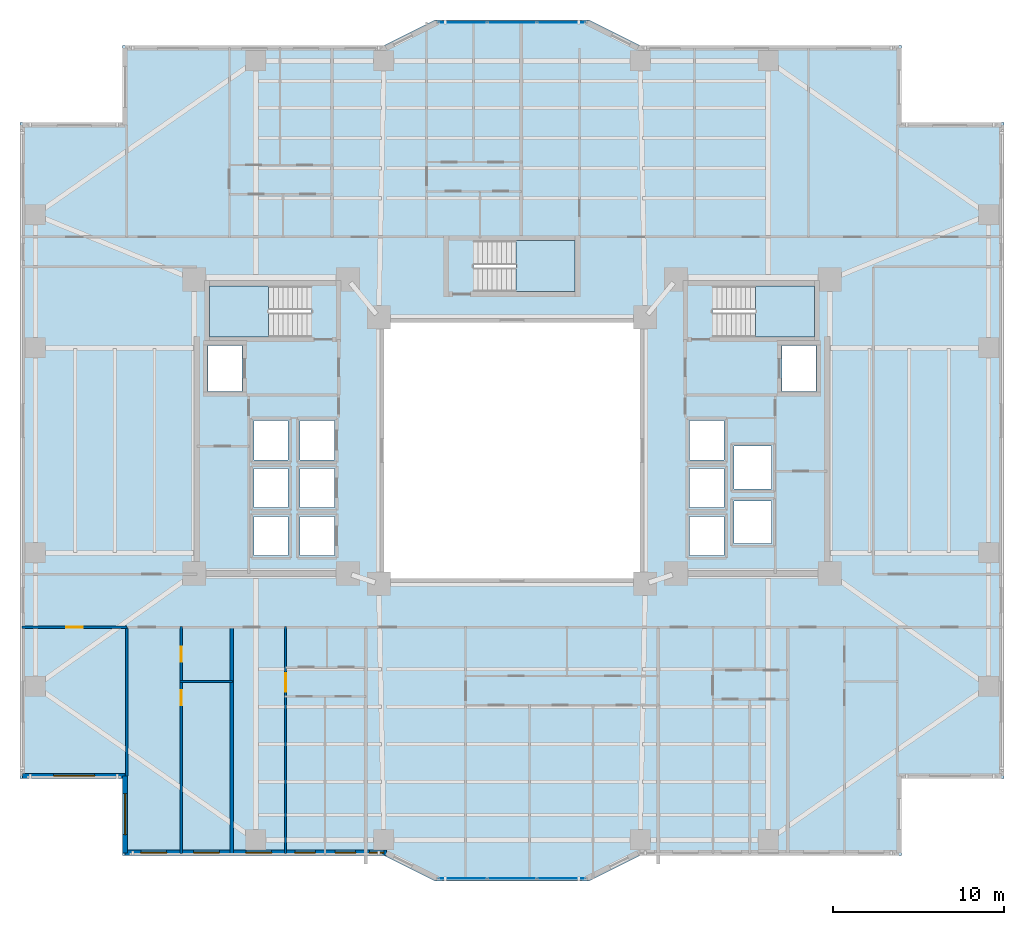
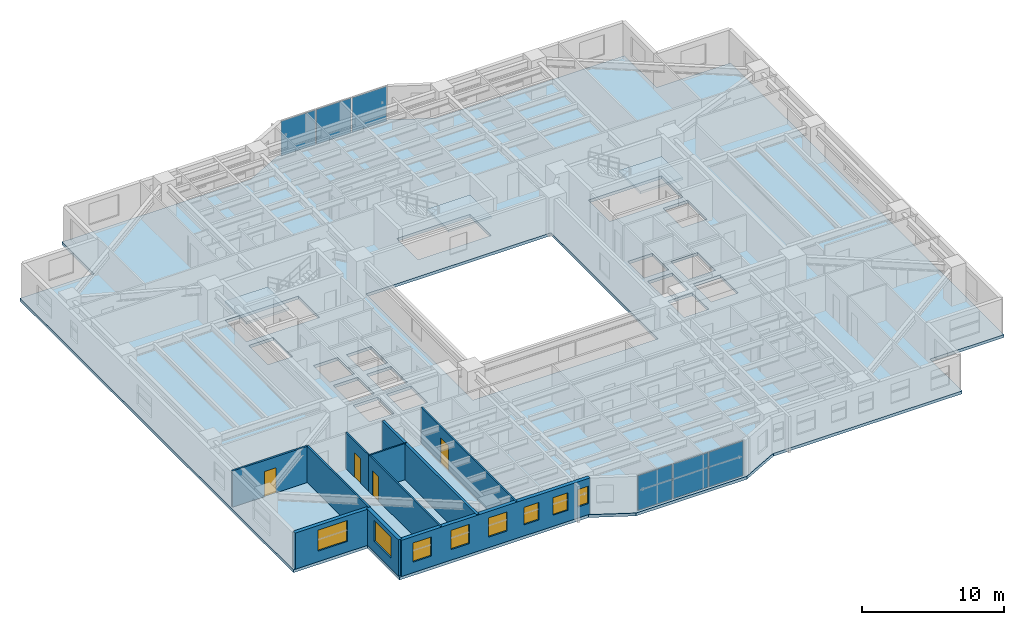
# One storey, part 9 of 21: 10 walls, 8 windows, 6 plates, 4 doors, 4 slabs, 12 openings, 5 elements without a shape of their own.
"""IFC4 building model written with IfcOpenShell, lengths in metres."""

from ifc_helpers import new_model, si_unit, direction, frame, frame_2d, origin, origin_2d, place, context, subcontext, project, spatial, polyline, rectangle, outline, extrude, material, layer, layer_set, type_object, element, fill, aggregate, save


model = new_model("IFC4")

# Units and contexts
model_context = context("Model", 3, precision=1e-05, world=origin(), true_north=direction((0.0, 1.0)))
body_context = subcontext(model_context, "Body", "Model", "MODEL_VIEW")
ifc_project = project(units=[si_unit("LENGTHUNIT", "METRE"), si_unit("AREAUNIT", "SQUARE_METRE"), si_unit("VOLUMEUNIT", "CUBIC_METRE"), si_unit("PLANEANGLEUNIT", "RADIAN"), si_unit("MASSUNIT", "GRAM", prefix="KILO")], contexts=[model_context])

# Site, building, storey
site_placement = place(None, origin())
site = spatial("IfcSite", under=ifc_project, at=site_placement, CompositionType="ELEMENT")
building_placement = place(site_placement, origin())
building = spatial("IfcBuilding", under=site, at=building_placement, Name="Tarnavaz Court Tower", CompositionType="ELEMENT")
storey_placement = place(building_placement, frame((0.0, 0.0, 37.39990234375)))
storey = spatial("IfcBuildingStorey", under=building, at=storey_placement, Name="L09", CompositionType="ELEMENT", Elevation=37.39990234375)

# Curtain wall, plates
ifc_material_1 = material(Name="Anodised Aluminium 6063-T6 and Solar Low-E Glazing", Category="aluminium")
ifc_layer_1 = layer(ifc_material_1, 0.179931640625)
ifc_layer_set_1 = layer_set([ifc_layer_1], Name="Anodised Aluminium 6063-T6 and Solar Low-E Glazing")
curtain_wall_type = type_object("IfcCurtainWallType", Name="CW-SYS-02", PredefinedType="NOTDEFINED", material=ifc_layer_set_1)
curtain_wall_1_placement = place(storey_placement, origin())
curtain_wall_1 = element("IfcCurtainWall", 1, at=curtain_wall_1_placement, inside=storey, type_object=curtain_wall_type, Name="L09 Iwan Prow Curtain Wall 7", PredefinedType="NOTDEFINED")
ifc_material_2 = material(Name="Double-Glazed Solar Low-E Glass", Category="glass")
ifc_layer_2 = layer(ifc_material_2, 0.028076171875)
ifc_layer_set_2 = layer_set([ifc_layer_2], Name="Double-Glazed Solar Low-E Glass")
plate_type = type_object("IfcPlateType", Name="CW-PAN-GLZ28", PredefinedType="CURTAIN_PANEL", material=ifc_layer_set_2)
plate_1_placement = place(storey_placement, frame((-2.88134765625, 25.050048828125, 0.06494140625), z_axis=(0.0, 0.0, 1.0), x_axis=(1.0, 0.0, 0.0)))
plate_1 = element("IfcPlate", 2, at=plate_1_placement, type_object=plate_type, Name="CW panel 1.1", PredefinedType="CURTAIN_PANEL", context=body_context, shape_type="SweptSolid", body=[
    extrude(rectangle(XDim=2.78759765625, YDim=0.028076171875, at=origin_2d()), origin(), (0.0, 0.0, 1.0), 2.969970703125),
])
plate_2_placement = place(storey_placement, frame((0.0, 25.050048828125, 0.06494140625), z_axis=(0.0, 0.0, 1.0), x_axis=(1.0, 0.0, 0.0)))
plate_2 = element("IfcPlate", 3, at=plate_2_placement, type_object=plate_type, Name="CW panel 2.1", PredefinedType="CURTAIN_PANEL", context=body_context, shape_type="SweptSolid", body=[
    extrude(rectangle(XDim=2.824951171875, YDim=0.028076171875, at=origin_2d()), origin(), (0.0, 0.0, 1.0), 2.969970703125),
])
plate_3_placement = place(storey_placement, frame((2.88134765625, 25.050048828125, 0.06494140625), z_axis=(0.0, 0.0, 1.0), x_axis=(1.0, 0.0, 0.0)))
plate_3 = element("IfcPlate", 4, at=plate_3_placement, type_object=plate_type, Name="CW panel 3.1", PredefinedType="CURTAIN_PANEL", context=body_context, shape_type="SweptSolid", body=[
    extrude(rectangle(XDim=2.78759765625, YDim=0.028076171875, at=origin_2d()), origin(), (0.0, 0.0, 1.0), 2.969970703125),
])
aggregate(curtain_wall_1, [plate_1, plate_2, plate_3])

curtain_wall_2_placement = place(storey_placement, origin())
curtain_wall_2 = element("IfcCurtainWall", 5, at=curtain_wall_2_placement, inside=storey, type_object=curtain_wall_type, Name="L09 Iwan Prow Curtain Wall 17", PredefinedType="NOTDEFINED")
plate_4_placement = place(storey_placement, frame((2.88134765625, -25.050048828125, 0.06494140625), z_axis=(0.0, 0.0, 1.0), x_axis=(-1.0, 0.0, 0.0)))
plate_4 = element("IfcPlate", 6, at=plate_4_placement, type_object=plate_type, Name="CW panel 1.1", PredefinedType="CURTAIN_PANEL", context=body_context, shape_type="SweptSolid", body=[
    extrude(rectangle(XDim=2.78759765625, YDim=0.028076171875, at=origin_2d()), origin(), (0.0, 0.0, 1.0), 2.969970703125),
])
plate_5_placement = place(storey_placement, frame((0.0, -25.050048828125, 0.06494140625), z_axis=(0.0, 0.0, 1.0), x_axis=(-1.0, 0.0, 0.0)))
plate_5 = element("IfcPlate", 7, at=plate_5_placement, type_object=plate_type, Name="CW panel 2.1", PredefinedType="CURTAIN_PANEL", context=body_context, shape_type="SweptSolid", body=[
    extrude(rectangle(XDim=2.824951171875, YDim=0.028076171875, at=origin_2d()), origin(), (0.0, 0.0, 1.0), 2.969970703125),
])
plate_6_placement = place(storey_placement, frame((-2.88134765625, -25.050048828125, 0.06494140625), z_axis=(0.0, 0.0, 1.0), x_axis=(-1.0, 0.0, 0.0)))
plate_6 = element("IfcPlate", 8, at=plate_6_placement, type_object=plate_type, Name="CW panel 3.1", PredefinedType="CURTAIN_PANEL", context=body_context, shape_type="SweptSolid", body=[
    extrude(rectangle(XDim=2.78759765625, YDim=0.028076171875, at=origin_2d()), origin(), (0.0, 0.0, 1.0), 2.969970703125),
])
aggregate(curtain_wall_2, [plate_4, plate_5, plate_6])

# Stair, slab
ifc_material_3 = material(Name="Concrete C40/50", Category="concrete")
stair_type = type_object("IfcStairType", Name="ST-TWR-20R", PredefinedType="HALF_TURN_STAIR", material=ifc_material_3)
stair_1_placement = place(storey_placement, origin())
stair_1 = element("IfcStair", 9, at=stair_1_placement, inside=storey, type_object=stair_type, Name="L09 West Core Pressurized Exit Stair ST-W1", PredefinedType="HALF_TURN_STAIR")
ifc_layer_3 = layer(ifc_material_3, 0.199951171875)
ifc_layer_set_3 = layer_set([ifc_layer_3], Name="Concrete C40/50")
slab_type_1 = type_object("IfcSlabType", Name="SL-LAND-200", PredefinedType="LANDING", material=ifc_layer_set_3)
slab_1_placement = place(storey_placement, frame((0.0, 0.0, 1.47509765625)))
slab_1 = element("IfcSlab", 10, at=slab_1_placement, type_object=slab_type_1, Name="ST-W1 landing 1", PredefinedType="LANDING", context=body_context, shape_type="SweptSolid", body=[
    extrude(outline(polyline([(-14.239990234375, 9.639892578125), (-17.699951171875, 9.639892578125), (-17.699951171875, 6.64990234375), (-14.239990234375, 6.64990234375), (-14.239990234375, 9.639892578125)])), origin(), (0.0, 0.0, 1.0), 0.199951171875),
])
aggregate(stair_1, [slab_1])

stair_2_placement = place(storey_placement, origin())
stair_2 = element("IfcStair", 11, at=stair_2_placement, inside=storey, type_object=stair_type, Name="L09 East Core Pressurized Exit Stair ST-E1", PredefinedType="HALF_TURN_STAIR")
slab_2_placement = place(storey_placement, frame((0.0, 0.0, 1.47509765625)))
slab_2 = element("IfcSlab", 12, at=slab_2_placement, type_object=slab_type_1, Name="ST-E1 landing 1", PredefinedType="LANDING", context=body_context, shape_type="SweptSolid", body=[
    extrude(outline(polyline([(14.239990234375, 6.64990234375), (17.699951171875, 6.64990234375), (17.699951171875, 9.639892578125), (14.239990234375, 9.639892578125), (14.239990234375, 6.64990234375)])), origin(), (0.0, 0.0, 1.0), 0.199951171875),
])
aggregate(stair_2, [slab_2])

stair_3_placement = place(storey_placement, origin())
stair_3 = element("IfcStair", 13, at=stair_3_placement, inside=storey, type_object=stair_type, Name="L09 North Ring Pressurized Exit Stair ST-N1", PredefinedType="HALF_TURN_STAIR")
slab_3_placement = place(storey_placement, frame((0.0, 0.0, 1.47509765625)))
slab_3 = element("IfcSlab", 14, at=slab_3_placement, type_object=slab_type_1, Name="ST-N1 landing 1", PredefinedType="LANDING", context=body_context, shape_type="SweptSolid", body=[
    extrude(outline(polyline([(0.239990234375, 9.300048828125), (3.699951171875, 9.300048828125), (3.699951171875, 12.2900390625), (0.239990234375, 12.2900390625), (0.239990234375, 9.300048828125)])), origin(), (0.0, 0.0, 1.0), 0.199951171875),
])
aggregate(stair_3, [slab_3])

# Slab
ifc_layer_4 = layer(ifc_material_3, 0.25)
ifc_layer_set_4 = layer_set([ifc_layer_4], Name="Concrete C40/50")
slab_type_2 = type_object("IfcSlabType", Name="SL-RES-250", PredefinedType="FLOOR", material=ifc_layer_set_4)
slab_4_placement = place(storey_placement, frame((0.0, 0.0, -0.25)))
element("IfcSlab", 15, at=slab_4_placement, inside=storey, type_object=slab_type_2, Name="L09 Structural Floor Slab", PredefinedType="FLOOR", context=body_context, shape_type="SweptSolid", body=[
    extrude(outline(polyline([(-22.800048828125, -23.699951171875), (-7.5, -23.699951171875), (-4.5, -25.199951171875), (4.5, -25.199951171875), (7.5, -23.699951171875), (22.800048828125, -23.699951171875), (22.800048828125, -19.199951171875), (28.800048828125, -19.199951171875), (28.800048828125, 19.199951171875), (22.800048828125, 19.199951171875), (22.800048828125, 23.699951171875), (7.5, 23.699951171875), (4.5, 25.199951171875), (-4.5, 25.199951171875), (-7.5, 23.699951171875), (-22.800048828125, 23.699951171875), (-22.800048828125, 19.199951171875), (-28.800048828125, 19.199951171875), (-28.800048828125, -19.199951171875), (-22.800048828125, -19.199951171875), (-22.800048828125, -23.699951171875)]), holes=[polyline([(-7.5, -7.5), (7.5, -7.5), (7.5, 7.5), (-7.5, 7.5), (-7.5, -7.5)]), polyline([(-11.7451171875, 9.639892578125), (-17.699951171875, 9.639892578125), (-17.699951171875, 6.64990234375), (-11.7451171875, 6.64990234375), (-11.7451171875, 9.639892578125)]), polyline([(11.7451171875, 6.64990234375), (17.699951171875, 6.64990234375), (17.699951171875, 9.639892578125), (11.7451171875, 9.639892578125), (11.7451171875, 6.64990234375)]), polyline([(-2.2548828125, 9.300048828125), (3.699951171875, 9.300048828125), (3.699951171875, 12.2900390625), (-2.2548828125, 12.2900390625), (-2.2548828125, 9.300048828125)]), polyline([(-17.800048828125, 3.449951171875), (-15.800048828125, 3.449951171875), (-15.800048828125, 6.14990234375), (-17.800048828125, 6.14990234375), (-17.800048828125, 3.449951171875)]), polyline([(-12.39990234375, -6.14990234375), (-10.39990234375, -6.14990234375), (-10.39990234375, -3.85009765625), (-12.39990234375, -3.85009765625), (-12.39990234375, -6.14990234375)]), polyline([(-12.39990234375, -3.35009765625), (-10.39990234375, -3.35009765625), (-10.39990234375, -1.050048828125), (-12.39990234375, -1.050048828125), (-12.39990234375, -3.35009765625)]), polyline([(-12.39990234375, -0.550048828125), (-10.39990234375, -0.550048828125), (-10.39990234375, 1.75), (-12.39990234375, 1.75), (-12.39990234375, -0.550048828125)]), polyline([(-15.10009765625, -6.14990234375), (-13.10009765625, -6.14990234375), (-13.10009765625, -3.85009765625), (-15.10009765625, -3.85009765625), (-15.10009765625, -6.14990234375)]), polyline([(-15.10009765625, -3.35009765625), (-13.10009765625, -3.35009765625), (-13.10009765625, -1.050048828125), (-15.10009765625, -1.050048828125), (-15.10009765625, -3.35009765625)]), polyline([(-15.10009765625, -0.550048828125), (-13.10009765625, -0.550048828125), (-13.10009765625, 1.75), (-15.10009765625, 1.75), (-15.10009765625, -0.550048828125)]), polyline([(15.800048828125, 3.449951171875), (17.800048828125, 3.449951171875), (17.800048828125, 6.14990234375), (15.800048828125, 6.14990234375), (15.800048828125, 3.449951171875)]), polyline([(10.39990234375, -6.14990234375), (12.39990234375, -6.14990234375), (12.39990234375, -3.85009765625), (10.39990234375, -3.85009765625), (10.39990234375, -6.14990234375)]), polyline([(10.39990234375, -3.35009765625), (12.39990234375, -3.35009765625), (12.39990234375, -1.050048828125), (10.39990234375, -1.050048828125), (10.39990234375, -3.35009765625)]), polyline([(10.39990234375, -0.550048828125), (12.39990234375, -0.550048828125), (12.39990234375, 1.75), (10.39990234375, 1.75), (10.39990234375, -0.550048828125)]), polyline([(13.0, -5.449951171875), (15.199951171875, -5.449951171875), (15.199951171875, -2.949951171875), (13.0, -2.949951171875), (13.0, -5.449951171875)]), polyline([(13.0, -2.25), (15.199951171875, -2.25), (15.199951171875, 0.25), (13.0, 0.25), (13.0, -2.25)])]), origin(), (0.0, 0.0, 1.0), 0.25),
])

# Wall, opening, window
ifc_material_4 = material(Name="Precast Concrete C40/50", Category="concrete")
ifc_layer_5 = layer(ifc_material_4, 0.300048828125)
ifc_layer_set_5 = layer_set([ifc_layer_5], Name="Precast Concrete C40/50")
wall_type_1 = type_object("IfcWallType", Name="WL-EXT-300", PredefinedType="SOLIDWALL", material=ifc_layer_set_5)
wall_1_placement = place(storey_placement, frame((-22.64990234375, -19.050048828125, 0.0), z_axis=(0.0, 0.0, 1.0), x_axis=(-1.0, 0.0, 0.0)))
wall_1 = element("IfcWall", 16, at=wall_1_placement, inside=storey, type_object=wall_type_1, Name="L09 Exterior Terracotta Facade Wall 01", PredefinedType="SOLIDWALL", context=body_context, shape_type="SweptSolid", body=[
    extrude(rectangle(XDim=6.0, YDim=0.300048828125, at=frame_2d((3.0, 0.0))), origin(), (0.0, 0.0, 1.0), 3.10009765625),
])
opening_1_placement = place(wall_1_placement, frame((1.77490234375, 0.0, 0.89990234375)))
opening_1 = element("IfcOpeningElement", 17, at=opening_1_placement, cuts=wall_1, Name="Opening W06", PredefinedType="OPENING", context=body_context, shape_type="SweptSolid", body=[
    extrude(rectangle(XDim=2.39990234375, YDim=1.800048828125, at=frame_2d((1.199951171875, 0.89990234375))), frame((0.0, 0.159912109375, 0.0), z_axis=(0.0, -1.0, 0.0), x_axis=(1.0, 0.0, 0.0)), (0.0, 0.0, 1.0), 0.320068359375),
])
window_type_1 = type_object("IfcWindowType", Name="WN-APT-2400", PartitioningType="TRIPLE_PANEL_VERTICAL", PredefinedType="WINDOW", material=ifc_material_2)
window_1_placement = place(opening_1_placement, origin())
window_1 = element("IfcWindow", 18, at=window_1_placement, inside=storey, type_object=window_type_1, Name="L09 South-West Corner Reading Room Window", OverallHeight=1.800048828125, OverallWidth=2.39990234375, PartitioningType="SINGLE_PANEL", PredefinedType="WINDOW", context=body_context, shape_type="SweptSolid", body=[
    extrude(rectangle(XDim=2.39990234375, YDim=1.800048828125, at=frame_2d((1.199951171875, 0.89990234375))), frame((0.0, 0.030029296875, 0.0), z_axis=(0.0, -1.0, 0.0), x_axis=(1.0, 0.0, 0.0)), (0.0, 0.0, 1.0), 0.06005859375),
])
fill(opening_1, window_1)

# Wall, openings, windows
wall_2_placement = place(storey_placement, frame((-7.35009765625, -23.550048828125, 0.0), z_axis=(0.0, 0.0, 1.0), x_axis=(-1.0, 0.0, 0.0)))
wall_2 = element("IfcWall", 19, at=wall_2_placement, inside=storey, type_object=wall_type_1, Name="L09 Exterior Terracotta Facade Wall 19", PredefinedType="SOLIDWALL", context=body_context, shape_type="SweptSolid", body=[
    extrude(rectangle(XDim=15.2998046875, YDim=0.300048828125, at=frame_2d((7.64990234375, 0.0))), origin(), (0.0, 0.0, 1.0), 3.10009765625),
])
opening_2_placement = place(wall_2_placement, frame((0.146728515625, 0.0, 0.949951171875)))
opening_2 = element("IfcOpeningElement", 20, at=opening_2_placement, cuts=wall_2, Name="Opening W15", PredefinedType="OPENING", context=body_context, shape_type="SweptSolid", body=[
    extrude(rectangle(XDim=0.85009765625, YDim=1.5, at=frame_2d((0.425048828125, 0.75))), frame((0.0, 0.159912109375, 0.0), z_axis=(0.0, -1.0, 0.0), x_axis=(1.0, 0.0, 0.0)), (0.0, 0.0, 1.0), 0.320068359375),
])
opening_3_placement = place(wall_2_placement, frame((1.807861328125, 0.0, 0.949951171875)))
opening_3 = element("IfcOpeningElement", 21, at=opening_3_placement, cuts=wall_2, Name="Opening W05", PredefinedType="OPENING", context=body_context, shape_type="SweptSolid", body=[
    extrude(rectangle(XDim=1.199951171875, YDim=1.5, at=frame_2d((0.60009765625, 0.75))), frame((0.0, 0.159912109375, 0.0), z_axis=(0.0, -1.0, 0.0), x_axis=(1.0, 0.0, 0.0)), (0.0, 0.0, 1.0), 0.320068359375),
])
opening_4_placement = place(wall_2_placement, frame((4.154052734375, 0.0, 0.949951171875)))
opening_4 = element("IfcOpeningElement", 22, at=opening_4_placement, cuts=wall_2, Name="Opening W05", PredefinedType="OPENING", context=body_context, shape_type="SweptSolid", body=[
    extrude(rectangle(XDim=1.199951171875, YDim=1.5, at=frame_2d((0.60009765625, 0.75))), frame((0.0, 0.159912109375, 0.0), z_axis=(0.0, -1.0, 0.0), x_axis=(1.0, 0.0, 0.0)), (0.0, 0.0, 1.0), 0.320068359375),
])
opening_5_placement = place(wall_2_placement, frame((6.724365234375, 0.0, 0.89990234375)))
opening_5 = element("IfcOpeningElement", 23, at=opening_5_placement, cuts=wall_2, Name="Opening W03", PredefinedType="OPENING", context=body_context, shape_type="SweptSolid", body=[
    extrude(rectangle(XDim=1.5, YDim=1.64990234375, at=frame_2d((0.75, 0.824951171875))), frame((0.0, 0.159912109375, 0.0), z_axis=(0.0, -1.0, 0.0), x_axis=(1.0, 0.0, 0.0)), (0.0, 0.0, 1.0), 0.320068359375),
])
opening_6_placement = place(wall_2_placement, frame((9.784423828125, 0.0, 0.89990234375)))
opening_6 = element("IfcOpeningElement", 24, at=opening_6_placement, cuts=wall_2, Name="Opening W03", PredefinedType="OPENING", context=body_context, shape_type="SweptSolid", body=[
    extrude(rectangle(XDim=1.5, YDim=1.64990234375, at=frame_2d((0.75, 0.824951171875))), frame((0.0, 0.159912109375, 0.0), z_axis=(0.0, -1.0, 0.0), x_axis=(1.0, 0.0, 0.0)), (0.0, 0.0, 1.0), 0.320068359375),
])
opening_7_placement = place(wall_2_placement, frame((12.869384765625, 0.0, 0.89990234375)))
opening_7 = element("IfcOpeningElement", 25, at=opening_7_placement, cuts=wall_2, Name="Opening W03", PredefinedType="OPENING", context=body_context, shape_type="SweptSolid", body=[
    extrude(rectangle(XDim=1.5, YDim=1.64990234375, at=frame_2d((0.75, 0.824951171875))), frame((0.0, 0.159912109375, 0.0), z_axis=(0.0, -1.0, 0.0), x_axis=(1.0, 0.0, 0.0)), (0.0, 0.0, 1.0), 0.320068359375),
])
window_type_2 = type_object("IfcWindowType", Name="WN-APT-1200", PartitioningType="SINGLE_PANEL", PredefinedType="WINDOW", material=ifc_material_2)
window_2_placement = place(opening_3_placement, origin())
window_2 = element("IfcWindow", 26, at=window_2_placement, inside=storey, type_object=window_type_2, Name="L09 Flat 04 Bedroom 2 Window", OverallHeight=1.5, OverallWidth=1.199951171875, PartitioningType="SINGLE_PANEL", PredefinedType="WINDOW", context=body_context, shape_type="SweptSolid", body=[
    extrude(rectangle(XDim=1.199951171875, YDim=1.5, at=frame_2d((0.60009765625, 0.75))), frame((0.0, 0.030029296875, 0.0), z_axis=(0.0, -1.0, 0.0), x_axis=(1.0, 0.0, 0.0)), (0.0, 0.0, 1.0), 0.06005859375),
])
fill(opening_3, window_2)
window_3_placement = place(opening_4_placement, origin())
window_3 = element("IfcWindow", 27, at=window_3_placement, inside=storey, type_object=window_type_2, Name="L09 Flat 04 Principal Bedroom Window", OverallHeight=1.5, OverallWidth=1.199951171875, PartitioningType="SINGLE_PANEL", PredefinedType="WINDOW", context=body_context, shape_type="SweptSolid", body=[
    extrude(rectangle(XDim=1.199951171875, YDim=1.5, at=frame_2d((0.60009765625, 0.75))), frame((0.0, 0.030029296875, 0.0), z_axis=(0.0, -1.0, 0.0), x_axis=(1.0, 0.0, 0.0)), (0.0, 0.0, 1.0), 0.06005859375),
])
fill(opening_4, window_3)
window_type_3 = type_object("IfcWindowType", Name="WN-APT-1500", PartitioningType="DOUBLE_PANEL_VERTICAL", PredefinedType="WINDOW", material=ifc_material_2)
window_4_placement = place(opening_5_placement, origin())
window_4 = element("IfcWindow", 28, at=window_4_placement, inside=storey, type_object=window_type_3, Name="L09 Flat 04 Living and Dining Room Window", OverallHeight=1.64990234375, OverallWidth=1.5, PartitioningType="SINGLE_PANEL", PredefinedType="WINDOW", context=body_context, shape_type="SweptSolid", body=[
    extrude(rectangle(XDim=1.5, YDim=1.64990234375, at=frame_2d((0.75, 0.824951171875))), frame((0.0, 0.030029296875, 0.0), z_axis=(0.0, -1.0, 0.0), x_axis=(1.0, 0.0, 0.0)), (0.0, 0.0, 1.0), 0.06005859375),
])
fill(opening_5, window_4)
window_5_placement = place(opening_6_placement, origin())
window_5 = element("IfcWindow", 29, at=window_5_placement, inside=storey, type_object=window_type_3, Name="L09 Flat 03 Kitchen Window", OverallHeight=1.64990234375, OverallWidth=1.5, PartitioningType="SINGLE_PANEL", PredefinedType="WINDOW", context=body_context, shape_type="SweptSolid", body=[
    extrude(rectangle(XDim=1.5, YDim=1.64990234375, at=frame_2d((0.75, 0.824951171875))), frame((0.0, 0.030029296875, 0.0), z_axis=(0.0, -1.0, 0.0), x_axis=(1.0, 0.0, 0.0)), (0.0, 0.0, 1.0), 0.06005859375),
])
fill(opening_6, window_5)
window_6_placement = place(opening_7_placement, origin())
window_6 = element("IfcWindow", 30, at=window_6_placement, inside=storey, type_object=window_type_3, Name="L09 Flat 03 Studio Living and Sleeping Room Window", OverallHeight=1.64990234375, OverallWidth=1.5, PartitioningType="SINGLE_PANEL", PredefinedType="WINDOW", context=body_context, shape_type="SweptSolid", body=[
    extrude(rectangle(XDim=1.5, YDim=1.64990234375, at=frame_2d((0.75, 0.824951171875))), frame((0.0, 0.030029296875, 0.0), z_axis=(0.0, -1.0, 0.0), x_axis=(1.0, 0.0, 0.0)), (0.0, 0.0, 1.0), 0.06005859375),
])
fill(opening_7, window_6)
window_type_4 = type_object("IfcWindowType", Name="WN-APT-850", PartitioningType="SINGLE_PANEL", PredefinedType="WINDOW", material=ifc_material_2)
window_7_placement = place(opening_2_placement, origin())
window_7 = element("IfcWindow", 31, at=window_7_placement, inside=storey, type_object=window_type_4, Name="L09 Flat 07 Living and Dining Room Window", OverallHeight=1.5, OverallWidth=0.85009765625, PartitioningType="SINGLE_PANEL", PredefinedType="WINDOW", context=body_context, shape_type="SweptSolid", body=[
    extrude(rectangle(XDim=0.85009765625, YDim=1.5, at=frame_2d((0.425048828125, 0.75))), frame((0.0, 0.030029296875, 0.0), z_axis=(0.0, -1.0, 0.0), x_axis=(1.0, 0.0, 0.0)), (0.0, 0.0, 1.0), 0.06005859375),
])
fill(opening_2, window_7)

# Wall, opening, window
wall_3_placement = place(storey_placement, frame((-22.64990234375, -23.550048828125, 0.0), z_axis=(0.0, 0.0, 1.0), x_axis=(0.0, 1.0, 0.0)))
wall_3 = element("IfcWall", 32, at=wall_3_placement, inside=storey, type_object=wall_type_1, Name="L09 Exterior Terracotta Facade Wall 20", PredefinedType="SOLIDWALL", context=body_context, shape_type="SweptSolid", body=[
    extrude(rectangle(XDim=4.5, YDim=0.300048828125, at=frame_2d((2.25, 0.0))), origin(), (0.0, 0.0, 1.0), 3.10009765625),
])
opening_8_placement = place(wall_3_placement, frame((1.0673828125, 0.0, 0.89990234375)))
opening_8 = element("IfcOpeningElement", 33, at=opening_8_placement, cuts=wall_3, Name="Opening W06", PredefinedType="OPENING", context=body_context, shape_type="SweptSolid", body=[
    extrude(rectangle(XDim=2.39990234375, YDim=1.800048828125, at=frame_2d((1.199951171875, 0.89990234375))), frame((0.0, 0.159912109375, 0.0), z_axis=(0.0, -1.0, 0.0), x_axis=(1.0, 0.0, 0.0)), (0.0, 0.0, 1.0), 0.320068359375),
])
window_8_placement = place(opening_8_placement, origin())
window_8 = element("IfcWindow", 34, at=window_8_placement, inside=storey, type_object=window_type_1, Name="L09 Flat 03 Studio Living and Sleeping Room Window", OverallHeight=1.800048828125, OverallWidth=2.39990234375, PartitioningType="SINGLE_PANEL", PredefinedType="WINDOW", context=body_context, shape_type="SweptSolid", body=[
    extrude(rectangle(XDim=2.39990234375, YDim=1.800048828125, at=frame_2d((1.199951171875, 0.89990234375))), frame((0.0, 0.030029296875, 0.0), z_axis=(0.0, -1.0, 0.0), x_axis=(1.0, 0.0, 0.0)), (0.0, 0.0, 1.0), 0.06005859375),
])
fill(opening_8, window_8)

# Wall, opening, door
ifc_material_5 = material(Name="Gypsum Fire-Board on Acoustic Metal Stud", Category="masonry")
ifc_layer_6 = layer(ifc_material_5, 0.14990234375)
ifc_layer_set_6 = layer_set([ifc_layer_6], Name="Gypsum Fire-Board on Acoustic Metal Stud")
wall_type_2 = type_object("IfcWallType", Name="WL-FIRE-150", PredefinedType="PARTITIONING", material=ifc_layer_set_6)
wall_4_placement = place(storey_placement, frame((-28.679931640625, -10.35009765625, 0.0), z_axis=(0.0, 0.0, 1.0), x_axis=(1.0, 0.0, 0.0)))
wall_4 = element("IfcWall", 35, at=wall_4_placement, inside=storey, type_object=wall_type_2, Name="L09 Interior Partition 143", PredefinedType="PARTITIONING", context=body_context, shape_type="SweptSolid", body=[
    extrude(rectangle(XDim=6.1298828125, YDim=0.14990234375, at=frame_2d((3.06494140625, 0.0))), origin(), (0.0, 0.0, 1.0), 3.10009765625),
])
opening_9_placement = place(wall_4_placement, frame((2.590087890625, 0.0, 0.0)))
opening_9 = element("IfcOpeningElement", 36, at=opening_9_placement, cuts=wall_4, Name="Opening D13", PredefinedType="OPENING", context=body_context, shape_type="SweptSolid", body=[
    extrude(rectangle(XDim=0.949951171875, YDim=2.14990234375, at=frame_2d((0.47509765625, 1.074951171875))), frame((0.0, 0.0849609375, 0.0), z_axis=(0.0, -1.0, 0.0), x_axis=(1.0, 0.0, 0.0)), (0.0, 0.0, 1.0), 0.169921875),
])
ifc_material_6 = material(Name="Engineered Oak Timber", Category="wood")
door_type_1 = type_object("IfcDoorType", Name="DR-INT-950", OperationType="NOTDEFINED", PredefinedType="DOOR", material=ifc_material_6)
door_1_placement = place(opening_9_placement, origin())
door_1 = element("IfcDoor", 37, at=door_1_placement, inside=storey, type_object=door_type_1, Name="L09 SW Reading Room Door", OperationType="SINGLE_SWING_RIGHT", OverallHeight=2.14990234375, OverallWidth=0.949951171875, PredefinedType="DOOR", context=body_context, shape_type="SweptSolid", body=[
    extrude(rectangle(XDim=0.949951171875, YDim=2.14990234375, at=frame_2d((0.47509765625, 1.074951171875))), frame((0.0, 0.02490234375, 0.0), z_axis=(0.0, -1.0, 0.0), x_axis=(1.0, 0.0, 0.0)), (0.0, 0.0, 1.0), 0.050048828125),
])
fill(opening_9, door_1)

# Wall
ifc_material_7 = material(Name="Autoclaved Aerated Concrete Blockwork", Category="masonry")
ifc_layer_7 = layer(ifc_material_7, 0.199951171875)
ifc_layer_set_7 = layer_set([ifc_layer_7], Name="Autoclaved Aerated Concrete Blockwork")
wall_type_3 = type_object("IfcWallType", Name="WL-FIRE-200", PredefinedType="SOLIDWALL", material=ifc_layer_set_7)
wall_5_placement = place(storey_placement, frame((-16.412109375, -23.60009765625, 0.0), z_axis=(0.0, 0.0, 1.0), x_axis=(0.0, 1.0, 0.0)))
element("IfcWall", 38, at=wall_5_placement, inside=storey, type_object=wall_type_3, Name="L09 Party Wall 104", PredefinedType="SOLIDWALL", context=body_context, shape_type="SweptSolid", body=[
    extrude(rectangle(XDim=13.25, YDim=0.199951171875, at=frame_2d((6.625, 0.0))), origin(), (0.0, 0.0, 1.0), 3.10009765625),
])

# Wall, opening, door
ifc_material_8 = material(Name="Moisture-Resistant Gypsum Board Partition", Category="masonry")
ifc_layer_8 = layer(ifc_material_8, 0.1201171875)
ifc_layer_set_8 = layer_set([ifc_layer_8], Name="Moisture-Resistant Gypsum Board Partition")
wall_type_4 = type_object("IfcWallType", Name="WL-PART-120", PredefinedType="PARTITIONING", material=ifc_layer_set_8)
wall_6_placement = place(storey_placement, frame((-19.361083984375, -23.60009765625, 0.0), z_axis=(0.0, 0.0, 1.0), x_axis=(0.0, 1.0, 0.0)))
wall_6 = element("IfcWall", 39, at=wall_6_placement, inside=storey, type_object=wall_type_4, Name="L09 Interior Partition 105", PredefinedType="PARTITIONING", context=body_context, shape_type="SweptSolid", body=[
    extrude(rectangle(XDim=10.090087890625, YDim=0.1201171875, at=frame_2d((5.044921875, 0.0))), origin(), (0.0, 0.0, 1.0), 3.10009765625),
])
opening_10_placement = place(wall_6_placement, frame((8.68994140625, 0.0, 0.0)))
opening_10 = element("IfcOpeningElement", 40, at=opening_10_placement, cuts=wall_6, Name="Opening D14", PredefinedType="OPENING", context=body_context, shape_type="SweptSolid", body=[
    extrude(rectangle(XDim=0.8798828125, YDim=2.10009765625, at=frame_2d((0.43994140625, 1.050048828125))), frame((0.0, 0.070068359375, 0.0), z_axis=(0.0, -1.0, 0.0), x_axis=(1.0, 0.0, 0.0)), (0.0, 0.0, 1.0), 0.14013671875),
])
door_type_2 = type_object("IfcDoorType", Name="DR-INT-900", OperationType="NOTDEFINED", PredefinedType="DOOR", material=ifc_material_6)
door_2_placement = place(opening_10_placement, origin())
door_2 = element("IfcDoor", 41, at=door_2_placement, inside=storey, type_object=door_type_2, Name="L09 Flat 03 Kitchen Door", OperationType="SINGLE_SWING_RIGHT", OverallHeight=2.10009765625, OverallWidth=0.8798828125, PredefinedType="DOOR", context=body_context, shape_type="SweptSolid", body=[
    extrude(rectangle(XDim=0.8798828125, YDim=2.10009765625, at=frame_2d((0.43994140625, 1.050048828125))), frame((0.0, 0.02490234375, 0.0), z_axis=(0.0, -1.0, 0.0), x_axis=(1.0, 0.0, 0.0)), (0.0, 0.0, 1.0), 0.050048828125),
])
fill(opening_10, door_2)

wall_7_placement = place(storey_placement, frame((-19.361083984375, -13.510009765625, 0.0), z_axis=(0.0, 0.0, 1.0), x_axis=(0.0, 1.0, 0.0)))
wall_7 = element("IfcWall", 42, at=wall_7_placement, inside=storey, type_object=wall_type_4, Name="L09 Interior Partition 106", PredefinedType="PARTITIONING", context=body_context, shape_type="SweptSolid", body=[
    extrude(rectangle(XDim=3.219970703125, YDim=0.1201171875, at=frame_2d((1.60986328125, 0.0))), origin(), (0.0, 0.0, 1.0), 3.10009765625),
])
opening_11_placement = place(wall_7_placement, frame((1.139892578125, 0.0, 0.0)))
opening_11 = element("IfcOpeningElement", 43, at=opening_11_placement, cuts=wall_7, Name="Opening D14", PredefinedType="OPENING", context=body_context, shape_type="SweptSolid", body=[
    extrude(rectangle(XDim=0.8798828125, YDim=2.10009765625, at=frame_2d((0.43994140625, 1.050048828125))), frame((0.0, 0.070068359375, 0.0), z_axis=(0.0, -1.0, 0.0), x_axis=(1.0, 0.0, 0.0)), (0.0, 0.0, 1.0), 0.14013671875),
])
door_3_placement = place(opening_11_placement, origin())
door_3 = element("IfcDoor", 44, at=door_3_placement, inside=storey, type_object=door_type_2, Name="L09 Flat 03 Bathroom Door", OperationType="SINGLE_SWING_LEFT", OverallHeight=2.10009765625, OverallWidth=0.8798828125, PredefinedType="DOOR", context=body_context, shape_type="SweptSolid", body=[
    extrude(rectangle(XDim=0.8798828125, YDim=2.10009765625, at=frame_2d((0.43994140625, 1.050048828125))), frame((0.0, 0.02490234375, 0.0), z_axis=(0.0, -1.0, 0.0), x_axis=(1.0, 0.0, 0.0)), (0.0, 0.0, 1.0), 0.050048828125),
])
fill(opening_11, door_3)

# Wall
wall_8_placement = place(storey_placement, frame((-19.4208984375, -13.510009765625, 0.0), z_axis=(0.0, 0.0, 1.0), x_axis=(1.0, 0.0, 0.0)))
element("IfcWall", 45, at=wall_8_placement, inside=storey, type_object=wall_type_4, Name="L09 Interior Partition 107", PredefinedType="PARTITIONING", context=body_context, shape_type="SweptSolid", body=[
    extrude(rectangle(XDim=3.06884765625, YDim=0.1201171875, at=frame_2d((1.534423828125, 0.0))), origin(), (0.0, 0.0, 1.0), 3.10009765625),
])

# Wall, opening, door
wall_9_placement = place(storey_placement, frame((-13.251953125, -23.60009765625, 0.0), z_axis=(0.0, 0.0, 1.0), x_axis=(0.0, 1.0, 0.0)))
wall_9 = element("IfcWall", 46, at=wall_9_placement, inside=storey, type_object=wall_type_4, Name="L09 Interior Partition 108", PredefinedType="PARTITIONING", context=body_context, shape_type="SweptSolid", body=[
    extrude(rectangle(XDim=13.31005859375, YDim=0.1201171875, at=frame_2d((6.655029296875, 0.0))), origin(), (0.0, 0.0, 1.0), 3.10009765625),
])
opening_12_placement = place(wall_9_placement, frame((9.485107421875, 0.0, 0.0)))
opening_12 = element("IfcOpeningElement", 47, at=opening_12_placement, cuts=wall_9, Name="Opening D12", PredefinedType="OPENING", context=body_context, shape_type="SweptSolid", body=[
    extrude(rectangle(XDim=1.080078125, YDim=2.14990234375, at=frame_2d((0.5400390625, 1.074951171875))), frame((0.0, 0.070068359375, 0.0), z_axis=(0.0, -1.0, 0.0), x_axis=(1.0, 0.0, 0.0)), (0.0, 0.0, 1.0), 0.14013671875),
])
door_type_3 = type_object("IfcDoorType", Name="DR-INT-1100", OperationType="NOTDEFINED", PredefinedType="DOOR", material=ifc_material_6)
door_4_placement = place(opening_12_placement, origin())
door_4 = element("IfcDoor", 48, at=door_4_placement, inside=storey, type_object=door_type_3, Name="L09 Flat 04 Foyer Door", OperationType="SINGLE_SWING_LEFT", OverallHeight=2.14990234375, OverallWidth=1.080078125, PredefinedType="DOOR", context=body_context, shape_type="SweptSolid", body=[
    extrude(rectangle(XDim=1.080078125, YDim=2.14990234375, at=frame_2d((0.5400390625, 1.074951171875))), frame((0.0, 0.02490234375, 0.0), z_axis=(0.0, -1.0, 0.0), x_axis=(1.0, 0.0, 0.0)), (0.0, 0.0, 1.0), 0.050048828125),
])
fill(opening_12, door_4)

# Wall
ifc_material_9 = material(Name="Gypsum Plasterboard Acoustic Partition", Category="masonry")
ifc_layer_9 = layer(ifc_material_9, 0.139892578125)
ifc_layer_set_9 = layer_set([ifc_layer_9], Name="Gypsum Plasterboard Acoustic Partition")
wall_type_5 = type_object("IfcWallType", Name="WL-PART-150", PredefinedType="PARTITIONING", material=ifc_layer_set_9)
wall_10_placement = place(storey_placement, frame((-22.550048828125, -19.050048828125, 0.0), z_axis=(0.0, 0.0, 1.0), x_axis=(0.0, 1.0, 0.0)))
element("IfcWall", 49, at=wall_10_placement, inside=storey, type_object=wall_type_5, Name="L09 Interior Partition 137", PredefinedType="PARTITIONING", context=body_context, shape_type="SweptSolid", body=[
    extrude(rectangle(XDim=8.699951171875, YDim=0.139892578125, at=frame_2d((4.35009765625, 0.0))), origin(), (0.0, 0.0, 1.0), 3.10009765625),
])

save(model, "model.ifc")
